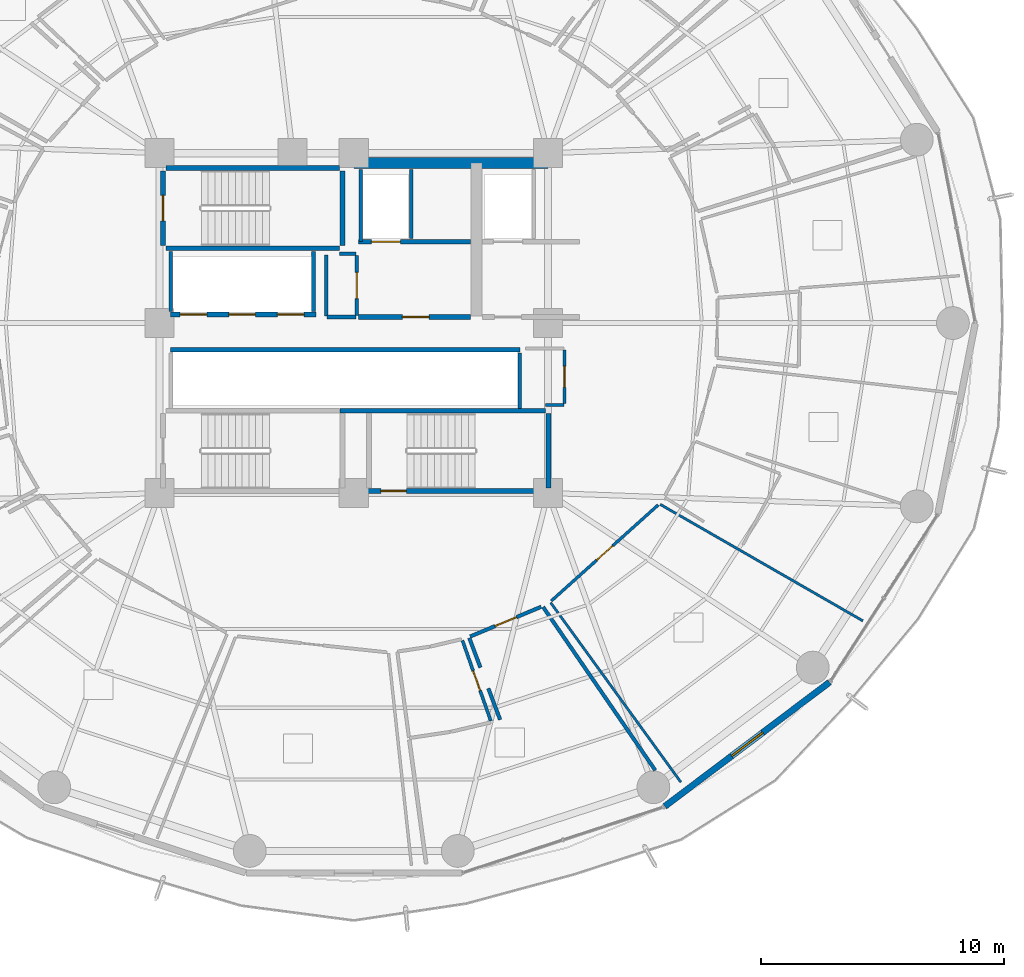
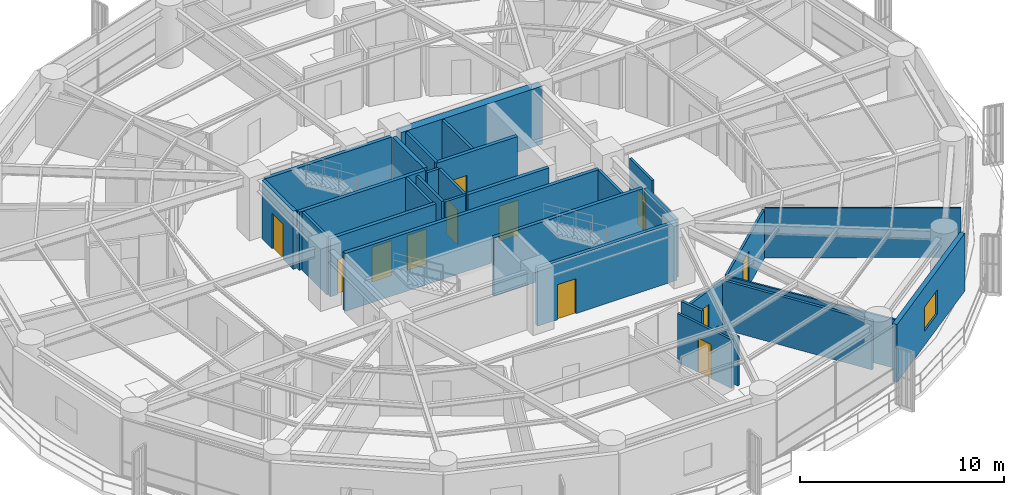
# One storey, part 30 of 37: 32 walls, 12 doors, 1 window, 13 openings.
"""IFC4 building model written with IfcOpenShell, lengths in metres."""

from ifc_helpers import new_model, si_unit, direction, frame, frame_2d, origin, place, context, subcontext, project, spatial, rectangle, extrude, material, layer, layer_set, type_object, element, fill, save


model = new_model("IFC4")

# Units and contexts
model_context = context("Model", 3, precision=1e-05, world=origin(), true_north=direction((0.0, 1.0)))
body_context = subcontext(model_context, "Body", "Model", "MODEL_VIEW")
ifc_project = project(units=[si_unit("LENGTHUNIT", "METRE"), si_unit("AREAUNIT", "SQUARE_METRE"), si_unit("VOLUMEUNIT", "CUBIC_METRE"), si_unit("PLANEANGLEUNIT", "RADIAN"), si_unit("MASSUNIT", "GRAM", prefix="KILO")], contexts=[model_context])

# Site, building, storey
site_placement = place(None, origin())
site = spatial("IfcSite", under=ifc_project, at=site_placement, CompositionType="ELEMENT")
building_placement = place(site_placement, origin())
building = spatial("IfcBuilding", under=site, at=building_placement, Name="Kelanora Arch Commons", CompositionType="ELEMENT")
storey_placement = place(building_placement, frame((0.0, 0.0, 113.85009765625)))
storey = spatial("IfcBuildingStorey", under=building, at=storey_placement, Name="L29", CompositionType="ELEMENT", Elevation=113.85009765625)

# Walls
ifc_material_1 = material(Name="Autoclaved aerated concrete blockwork with fire plaster", Category="masonry")
ifc_layer_1 = layer(ifc_material_1, 0.14990234375)
ifc_layer_set_1 = layer_set([ifc_layer_1], Name="Autoclaved aerated concrete blockwork with fire plaster")
wall_type_1 = type_object("IfcWallType", Name="W-COMP-150", PredefinedType="PARTITIONING", material=ifc_layer_set_1)
wall_1_placement = place(storey_placement, frame((74.280029296875, 61.35009765625, 0.0), z_axis=(0.0, 0.0, 1.0), x_axis=(0.0, 1.0, 0.0)))
element("IfcWall", 1, at=wall_1_placement, inside=storey, type_object=wall_type_1, Name="Firefighting Lift 1 West Shaft Wall L29", PredefinedType="PARTITIONING", context=body_context, shape_type="SweptSolid", body=[
    extrude(rectangle(XDim=2.969970703125, YDim=0.14990234375, at=frame_2d((1.48486328125, 0.0))), origin(), (0.0, 0.0, 1.0), 3.47998046875),
])
wall_2_placement = place(storey_placement, frame((76.360107421875, 61.47998046875, 0.0), z_axis=(0.0, 0.0, 1.0), x_axis=(0.0, 1.0, 0.0)))
element("IfcWall", 2, at=wall_2_placement, inside=storey, type_object=wall_type_1, Name="Firefighting Lift 1 East Shaft Wall L29", PredefinedType="PARTITIONING", context=body_context, shape_type="SweptSolid", body=[
    extrude(rectangle(XDim=2.840087890625, YDim=0.14990234375, at=frame_2d((1.419921875, 0.0))), origin(), (0.0, 0.0, 1.0), 3.47998046875),
])
for number, where, z_axis, x_axis, name in (
    (3, (66.4599609375, 58.47998046875, 0.0), (0.0, 0.0, 1.0), (0.0, 1.0, 0.0), "Low-Rise Lift Bank West Wall L29"),
    (4, (72.340087890625, 58.47998046875, 0.0), (0.0, 0.0, 1.0), (0.0, 1.0, 0.0), "Low-Rise Lift Bank East Wall L29"),
):
    element("IfcWall", number, at=place(storey_placement, frame(where, z_axis=z_axis, x_axis=x_axis)), inside=storey, type_object=wall_type_1, Name=name, PredefinedType="PARTITIONING", context=body_context, shape_type="SweptSolid", body=[
        extrude(rectangle(XDim=2.4599609375, YDim=0.14990234375, at=frame_2d((1.22998046875, 0.0))), origin(), (0.0, 0.0, 1.0), 3.47998046875),
    ])
wall_3_placement = place(storey_placement, frame((80.840087890625, 54.47998046875, 0.0), z_axis=(0.0, 0.0, 1.0), x_axis=(0.0, 1.0, 0.0)))
element("IfcWall", 5, at=wall_3_placement, inside=storey, type_object=wall_type_1, Name="South Lift Bank East Wall L29", PredefinedType="PARTITIONING", context=body_context, shape_type="SweptSolid", body=[
    extrude(rectangle(XDim=2.2900390625, YDim=0.14990234375, at=frame_2d((1.14501953125, 0.0))), origin(), (0.0, 0.0, 1.0), 3.47998046875),
])

# Wall, opening, door
wall_4_placement = place(storey_placement, frame((74.1201171875, 58.31005859375, 0.0), z_axis=(0.0, 0.0, 1.0), x_axis=(0.0, 1.0, 0.0)))
wall_4 = element("IfcWall", 6, at=wall_4_placement, inside=storey, type_object=wall_type_1, Name="Core Linen Supply Store L29 Entry Partition", PredefinedType="PARTITIONING", context=body_context, shape_type="SweptSolid", body=[
    extrude(rectangle(XDim=2.47998046875, YDim=0.14990234375, at=frame_2d((1.239990234375, 0.0))), origin(), (0.0, 0.0, 1.0), 3.47998046875),
])
opening_1_placement = place(wall_4_placement, frame((0.699951171875, 0.0, 0.0)))
opening_1 = element("IfcOpeningElement", 7, at=opening_1_placement, cuts=wall_4, Name="Opening D-PLT1", PredefinedType="OPENING", context=body_context, shape_type="SweptSolid", body=[
    extrude(rectangle(XDim=1.080078125, YDim=2.10009765625, at=frame_2d((0.5400390625, 1.050048828125))), frame((0.0, 0.0849609375, 0.0), z_axis=(0.0, -1.0, 0.0), x_axis=(1.0, 0.0, 0.0)), (0.0, 0.0, 1.0), 0.169921875),
])
ifc_material_2 = material(Name="Galvanised steel plant and riser fire door", Category="steel")
door_type_1 = type_object("IfcDoorType", Name="D-PLT-110", OperationType="NOTDEFINED", PredefinedType="DOOR", material=ifc_material_2)
door_1_placement = place(opening_1_placement, origin())
door_1 = element("IfcDoor", 8, at=door_1_placement, inside=storey, type_object=door_type_1, Name="Core Linen Supply Store L29 Door", OperationType="SINGLE_SWING_LEFT", OverallHeight=2.10009765625, OverallWidth=1.080078125, PredefinedType="DOOR", context=body_context, shape_type="SweptSolid", body=[
    extrude(rectangle(XDim=1.080078125, YDim=2.10009765625, at=frame_2d((0.5400390625, 1.050048828125))), frame((0.0, 0.02490234375, 0.0), z_axis=(0.0, -1.0, 0.0), x_axis=(1.0, 0.0, 0.0)), (0.0, 0.0, 1.0), 0.050048828125),
])
fill(opening_1, door_1)

wall_5_placement = place(storey_placement, frame((78.79736328125, 45.089111328125, 0.0), z_axis=(0.0, 0.0, 1.0), x_axis=(0.922451198241, 0.386113696809, 0.0)))
wall_5 = element("IfcWall", 9, at=wall_5_placement, inside=storey, type_object=wall_type_1, Name="Co-Living Studio L29-11 Entry Partition", PredefinedType="PARTITIONING", context=body_context, shape_type="SweptSolid", body=[
    extrude(rectangle(XDim=3.169189453125, YDim=0.14990234375, at=frame_2d((1.58447265625, 0.0))), origin(), (0.0, 0.0, 1.0), 2.9248046875),
])
opening_2_placement = place(wall_5_placement, frame((1.110107421875, 0.0, 0.0)))
opening_2 = element("IfcOpeningElement", 10, at=opening_2_placement, cuts=wall_5, Name="Opening D-CLU1", PredefinedType="OPENING", context=body_context, shape_type="SweptSolid", body=[
    extrude(rectangle(XDim=0.949951171875, YDim=2.080078125, at=frame_2d((0.47509765625, 1.0400390625))), frame((0.0, 0.0849609375, 0.0), z_axis=(0.0, -1.0, 0.0), x_axis=(1.0, 0.0, 0.0)), (0.0, 0.0, 1.0), 0.169921875),
])
ifc_material_3 = material(Name="Solid-core acoustic timber cluster entry fire door", Category="wood")
door_type_2 = type_object("IfcDoorType", Name="D-CLU-95", OperationType="NOTDEFINED", PredefinedType="DOOR", material=ifc_material_3)
door_2_placement = place(opening_2_placement, origin())
door_2 = element("IfcDoor", 11, at=door_2_placement, inside=storey, type_object=door_type_2, Name="Co-Living Studio L29-11 Door", OperationType="SINGLE_SWING_RIGHT", OverallHeight=2.080078125, OverallWidth=0.949951171875, PredefinedType="DOOR", context=body_context, shape_type="SweptSolid", body=[
    extrude(rectangle(XDim=0.949951171875, YDim=2.080078125, at=frame_2d((0.47509765625, 1.0400390625))), frame((0.0, 0.02490234375, 0.0), z_axis=(0.0, -1.0, 0.0), x_axis=(1.0, 0.0, 0.0)), (0.0, 0.0, 1.0), 0.050048828125),
])
fill(opening_2, door_2)

# Walls
wall_6_placement = place(storey_placement, frame((72.89990234375, 58.25, 0.0), z_axis=(0.0, 0.0, 1.0), x_axis=(1.0, 0.0, 0.0)))
element("IfcWall", 12, at=wall_6_placement, inside=storey, type_object=wall_type_1, Name="Core Linen Supply Store L29 Enclosure Partition 1", PredefinedType="PARTITIONING", context=body_context, shape_type="SweptSolid", body=[
    extrude(rectangle(XDim=1.18017578125, YDim=0.14990234375, at=frame_2d((0.590087890625, 0.0))), origin(), (0.0, 0.0, 1.0), 3.47998046875),
])
wall_7_placement = place(storey_placement, frame((74.080078125, 60.85009765625, 0.0), z_axis=(0.0, 0.0, 1.0), x_axis=(-1.0, 0.0, 0.0)))
element("IfcWall", 13, at=wall_7_placement, inside=storey, type_object=wall_type_1, Name="Core Linen Supply Store L29 Enclosure Partition 3", PredefinedType="PARTITIONING", context=body_context, shape_type="SweptSolid", body=[
    extrude(rectangle(XDim=0.66015625, YDim=0.14990234375, at=frame_2d((0.330078125, 0.0))), origin(), (0.0, 0.0, 1.0), 3.47998046875),
])
wall_8_placement = place(storey_placement, frame((72.860107421875, 60.81005859375, 0.0), z_axis=(0.0, 0.0, 1.0), x_axis=(0.0, -1.0, 0.0)))
element("IfcWall", 14, at=wall_8_placement, inside=storey, type_object=wall_type_1, Name="Core Linen Supply Store L29 Enclosure Partition 4", PredefinedType="PARTITIONING", context=body_context, shape_type="SweptSolid", body=[
    extrude(rectangle(XDim=2.52001953125, YDim=0.14990234375, at=frame_2d((1.260009765625, 0.0))), origin(), (0.0, 0.0, 1.0), 3.47998046875),
])
wall_9_placement = place(storey_placement, frame((81.798583984375, 46.302978515625, 0.0), z_axis=(0.0, 0.0, 1.0), x_axis=(0.566050189738, -0.824370779866, 0.0)))
element("IfcWall", 15, at=wall_9_placement, inside=storey, type_object=wall_type_1, Name="Co-Living Studio L29-11 Enclosure Partition 2", PredefinedType="PARTITIONING", context=body_context, shape_type="SweptSolid", body=[
    extrude(rectangle(XDim=8.162841796875, YDim=0.14990234375, at=frame_2d((4.08154296875, 0.0))), origin(), (0.0, 0.0, 1.0), 2.9248046875),
])
wall_10_placement = place(storey_placement, frame((80.02783203125, 41.660400390625, 0.0), z_axis=(0.0, 0.0, 1.0), x_axis=(-0.353218077886, 0.935541014309, 0.0)))
element("IfcWall", 16, at=wall_10_placement, inside=storey, type_object=wall_type_1, Name="Co-Living Studio L29-11 Enclosure Partition 7", PredefinedType="PARTITIONING", context=body_context, shape_type="SweptSolid", body=[
    extrude(rectangle(XDim=1.37890625, YDim=0.14990234375, at=frame_2d((0.689453125, 0.0))), origin(), (0.0, 0.0, 1.0), 2.9248046875),
])
wall_11_placement = place(storey_placement, frame((79.2158203125, 43.811279296875, 0.0), z_axis=(0.0, 0.0, 1.0), x_axis=(-0.353302050307, 0.935509305806, 0.0)))
element("IfcWall", 17, at=wall_11_placement, inside=storey, type_object=wall_type_1, Name="Co-Living Studio L29-11 Enclosure Partition 7", PredefinedType="PARTITIONING", context=body_context, shape_type="SweptSolid", body=[
    extrude(rectangle(XDim=1.30126953125, YDim=0.14990234375, at=frame_2d((0.650634765625, 0.0))), origin(), (0.0, 0.0, 1.0), 3.47998046875),
])
ifc_material_4 = material(Name="Concrete C60/75", Category="concrete")
ifc_layer_2 = layer(ifc_material_4, 0.449951171875)
ifc_layer_set_2 = layer_set([ifc_layer_2], Name="Concrete C60/75")
wall_type_2 = type_object("IfcWallType", Name="W-CORE-450", PredefinedType="SHEAR", material=ifc_layer_set_2)
wall_12_placement = place(storey_placement, frame((74.0, 64.60009765625, 0.0), z_axis=(0.0, 0.0, 1.0), x_axis=(1.0, 0.0, 0.0)))
element("IfcWall", 18, at=wall_12_placement, inside=storey, type_object=wall_type_2, Name="Core Shear Spine L29-CN-E", PredefinedType="SHEAR", context=body_context, shape_type="SweptSolid", body=[
    extrude(rectangle(XDim=8.0, YDim=0.449951171875, at=frame_2d((4.0, 0.0))), origin(), (0.0, 0.0, 1.0), 3.489990234375),
])

# Wall, opening, window
ifc_material_5 = material(Name="Precast concrete C40/50 with terracotta rainscreen", Category="masonry")
ifc_layer_3 = layer(ifc_material_5, 0.260009765625)
ifc_layer_set_3 = layer_set([ifc_layer_3], Name="Precast concrete C40/50 with terracotta rainscreen")
wall_type_3 = type_object("IfcWallType", Name="W-EXT-TC", PredefinedType="SOLIDWALL", material=ifc_layer_set_3)
wall_13_placement = place(storey_placement, frame((86.81201171875, 38.09033203125, 0.0), z_axis=(0.0, 0.0, 1.0), x_axis=(0.798501507879, 0.601992808857, 0.0)))
wall_13 = element("IfcWall", 19, at=wall_13_placement, inside=storey, type_object=wall_type_3, Name="Terracotta Exterior Wall L29-B15", PredefinedType="SOLIDWALL", context=body_context, shape_type="SweptSolid", body=[
    extrude(rectangle(XDim=8.499267578125, YDim=0.260009765625, at=frame_2d((4.24951171875, 0.0))), origin(), (0.0, 0.0, 1.0), 3.474853515625),
])
opening_3_placement = place(wall_13_placement, frame((3.449951171875, 0.0, 0.85009765625)))
opening_3 = element("IfcOpeningElement", 20, at=opening_3_placement, cuts=wall_13, Name="Opening WN-01", PredefinedType="OPENING", context=body_context, shape_type="SweptSolid", body=[
    extrude(rectangle(XDim=1.60009765625, YDim=1.449951171875, at=frame_2d((0.800048828125, 0.72509765625))), frame((0.0, 0.14013671875, 0.0), z_axis=(0.0, -1.0, 0.0), x_axis=(1.0, 0.0, 0.0)), (0.0, 0.0, 1.0), 0.280029296875),
])
ifc_material_6 = material(Name="Terracotta-anodised aluminium frame with operable low-E glazing", Category="masonry")
window_type = type_object("IfcWindowType", Name="WIN-CL-18", PartitioningType="DOUBLE_PANEL_VERTICAL", PredefinedType="WINDOW", material=ifc_material_6)
window_placement = place(opening_3_placement, origin())
window = element("IfcWindow", 21, at=window_placement, inside=storey, type_object=window_type, Name="Co-Living Operable Window L29-B15", OverallHeight=1.449951171875, OverallWidth=1.60009765625, PartitioningType="SINGLE_PANEL", PredefinedType="WINDOW", context=body_context, shape_type="SweptSolid", body=[
    extrude(rectangle(XDim=1.60009765625, YDim=1.449951171875, at=frame_2d((0.800048828125, 0.72509765625))), frame((0.0, 0.030029296875, 0.0), z_axis=(0.0, -1.0, 0.0), x_axis=(1.0, 0.0, 0.0)), (0.0, 0.0, 1.0), 0.06005859375),
])
fill(opening_3, window)

# Wall, opening, door
ifc_material_7 = material(Name="Concrete C40/50", Category="concrete")
ifc_layer_4 = layer(ifc_material_7, 0.199951171875)
ifc_layer_set_4 = layer_set([ifc_layer_4], Name="Concrete C40/50")
wall_type_4 = type_object("IfcWallType", Name="W-FFL-200", PredefinedType="SOLIDWALL", material=ifc_layer_set_4)
wall_14_placement = place(storey_placement, frame((74.199951171875, 61.35009765625, 0.0), z_axis=(0.0, 0.0, 1.0), x_axis=(1.0, 0.0, 0.0)))
wall_14 = element("IfcWall", 22, at=wall_14_placement, inside=storey, type_object=wall_type_4, Name="Firefighting Lift 1 Shaft Front L29", PredefinedType="SOLIDWALL", context=body_context, shape_type="SweptSolid", body=[
    extrude(rectangle(XDim=4.60009765625, YDim=0.199951171875, at=frame_2d((2.300048828125, 0.0))), origin(), (0.0, 0.0, 1.0), 3.47998046875),
])
opening_4_placement = place(wall_14_placement, frame((0.52001953125, 0.0, 0.0)))
opening_4 = element("IfcOpeningElement", 23, at=opening_4_placement, cuts=wall_14, Name="Opening LD-FF", PredefinedType="OPENING", context=body_context, shape_type="SweptSolid", body=[
    extrude(rectangle(XDim=1.199951171875, YDim=2.14990234375, at=frame_2d((0.60009765625, 1.074951171875))), frame((0.0, 0.10986328125, 0.0), z_axis=(0.0, -1.0, 0.0), x_axis=(1.0, 0.0, 0.0)), (0.0, 0.0, 1.0), 0.219970703125),
])
ifc_material_8 = material(Name="Fire-rated firefighters lift sliding landing door")
door_type_3 = type_object("IfcDoorType", Name="D-LIFT-FF", OperationType="NOTDEFINED", PredefinedType="DOOR", material=ifc_material_8)
door_3_placement = place(opening_4_placement, origin())
door_3 = element("IfcDoor", 24, at=door_3_placement, inside=storey, type_object=door_type_3, Name="Firefighting Lift LF-FF1 Landing Door L29", OperationType="DOUBLE_DOOR_SLIDING", OverallHeight=2.14990234375, OverallWidth=1.199951171875, PredefinedType="DOOR", context=body_context, shape_type="SweptSolid", body=[
    extrude(rectangle(XDim=1.199951171875, YDim=2.14990234375, at=frame_2d((0.60009765625, 1.074951171875))), frame((0.0, 0.02490234375, 0.0), z_axis=(0.0, -1.0, 0.0), x_axis=(1.0, 0.0, 0.0)), (0.0, 0.0, 1.0), 0.050048828125),
])
fill(opening_4, door_3)

wall_15_placement = place(storey_placement, frame((74.199951171875, 58.25, 0.0), z_axis=(0.0, 0.0, 1.0), x_axis=(1.0, 0.0, 0.0)))
wall_15 = element("IfcWall", 25, at=wall_15_placement, inside=storey, type_object=wall_type_4, Name="Firefighting Lobby 1 Enclosure Wall L29", PredefinedType="SOLIDWALL", context=body_context, shape_type="SweptSolid", body=[
    extrude(rectangle(XDim=4.60009765625, YDim=0.199951171875, at=frame_2d((2.300048828125, 0.0))), origin(), (0.0, 0.0, 1.0), 3.47998046875),
])
opening_5_placement = place(wall_15_placement, frame((1.800048828125, 0.0, 0.0)))
opening_5 = element("IfcOpeningElement", 26, at=opening_5_placement, cuts=wall_15, Name="Opening D-FFL1", PredefinedType="OPENING", context=body_context, shape_type="SweptSolid", body=[
    extrude(rectangle(XDim=1.10009765625, YDim=2.10009765625, at=frame_2d((0.550048828125, 1.050048828125))), frame((0.0, 0.10986328125, 0.0), z_axis=(0.0, -1.0, 0.0), x_axis=(1.0, 0.0, 0.0)), (0.0, 0.0, 1.0), 0.219970703125),
])
ifc_material_9 = material(Name="Smoke-sealed firefighting lobby fire door")
door_type_4 = type_object("IfcDoorType", Name="D-FFL-110", OperationType="NOTDEFINED", PredefinedType="DOOR", material=ifc_material_9)
door_4_placement = place(opening_5_placement, frame((1.10009765625, 0.0, 0.0), z_axis=(0.0, 0.0, 1.0), x_axis=(-1.0, 0.0, 0.0)))
door_4 = element("IfcDoor", 27, at=door_4_placement, inside=storey, type_object=door_type_4, Name="Firefighting Lobby 1 Door L29", OperationType="SINGLE_SWING_LEFT", OverallHeight=2.10009765625, OverallWidth=1.10009765625, PredefinedType="DOOR", context=body_context, shape_type="SweptSolid", body=[
    extrude(rectangle(XDim=1.10009765625, YDim=2.10009765625, at=frame_2d((0.550048828125, 1.050048828125))), frame((0.0, 0.02490234375, 0.0), z_axis=(0.0, -1.0, 0.0), x_axis=(1.0, 0.0, 0.0)), (0.0, 0.0, 1.0), 0.050048828125),
])
fill(opening_5, door_4)

# Wall, openings, doors
wall_16_placement = place(storey_placement, frame((66.449951171875, 58.35009765625, 0.0), z_axis=(0.0, 0.0, 1.0), x_axis=(1.0, 0.0, 0.0)))
wall_16 = element("IfcWall", 28, at=wall_16_placement, inside=storey, type_object=wall_type_4, Name="Low-Rise Passenger Lift Shaft Front L29", PredefinedType="SOLIDWALL", context=body_context, shape_type="SweptSolid", body=[
    extrude(rectangle(XDim=6.0, YDim=0.199951171875, at=frame_2d((3.0, 0.0))), origin(), (0.0, 0.0, 1.0), 3.47998046875),
])
opening_6_placement = place(wall_16_placement, frame((0.39990234375, 0.0, 0.0)))
opening_6 = element("IfcOpeningElement", 29, at=opening_6_placement, cuts=wall_16, Name="Opening LD-01", PredefinedType="OPENING", context=body_context, shape_type="SweptSolid", body=[
    extrude(rectangle(XDim=1.10009765625, YDim=2.10009765625, at=frame_2d((0.550048828125, 1.050048828125))), frame((0.0, 0.10986328125, 0.0), z_axis=(0.0, -1.0, 0.0), x_axis=(1.0, 0.0, 0.0)), (0.0, 0.0, 1.0), 0.219970703125),
])
opening_7_placement = place(wall_16_placement, frame((2.39990234375, 0.0, 0.0)))
opening_7 = element("IfcOpeningElement", 30, at=opening_7_placement, cuts=wall_16, Name="Opening LD-01", PredefinedType="OPENING", context=body_context, shape_type="SweptSolid", body=[
    extrude(rectangle(XDim=1.10009765625, YDim=2.10009765625, at=frame_2d((0.550048828125, 1.050048828125))), frame((0.0, 0.10986328125, 0.0), z_axis=(0.0, -1.0, 0.0), x_axis=(1.0, 0.0, 0.0)), (0.0, 0.0, 1.0), 0.219970703125),
])
opening_8_placement = place(wall_16_placement, frame((4.39990234375, 0.0, 0.0)))
opening_8 = element("IfcOpeningElement", 31, at=opening_8_placement, cuts=wall_16, Name="Opening LD-01", PredefinedType="OPENING", context=body_context, shape_type="SweptSolid", body=[
    extrude(rectangle(XDim=1.10009765625, YDim=2.10009765625, at=frame_2d((0.550048828125, 1.050048828125))), frame((0.0, 0.10986328125, 0.0), z_axis=(0.0, -1.0, 0.0), x_axis=(1.0, 0.0, 0.0)), (0.0, 0.0, 1.0), 0.219970703125),
])
ifc_material_10 = material(Name="Stainless steel passenger lift sliding landing door", Category="steel")
door_type_5 = type_object("IfcDoorType", Name="D-LIFT-110", OperationType="NOTDEFINED", PredefinedType="DOOR", material=ifc_material_10)
door_5_placement = place(opening_6_placement, origin())
door_5 = element("IfcDoor", 32, at=door_5_placement, inside=storey, type_object=door_type_5, Name="Passenger Lift LF-P1 Landing Door L29", OperationType="DOUBLE_DOOR_SLIDING", OverallHeight=2.10009765625, OverallWidth=1.10009765625, PredefinedType="DOOR", context=body_context, shape_type="SweptSolid", body=[
    extrude(rectangle(XDim=1.10009765625, YDim=2.10009765625, at=frame_2d((0.550048828125, 1.050048828125))), frame((0.0, 0.02490234375, 0.0), z_axis=(0.0, -1.0, 0.0), x_axis=(1.0, 0.0, 0.0)), (0.0, 0.0, 1.0), 0.050048828125),
])
fill(opening_6, door_5)
door_6_placement = place(opening_7_placement, origin())
door_6 = element("IfcDoor", 33, at=door_6_placement, inside=storey, type_object=door_type_5, Name="Passenger Lift LF-P2 Landing Door L29", OperationType="DOUBLE_DOOR_SLIDING", OverallHeight=2.10009765625, OverallWidth=1.10009765625, PredefinedType="DOOR", context=body_context, shape_type="SweptSolid", body=[
    extrude(rectangle(XDim=1.10009765625, YDim=2.10009765625, at=frame_2d((0.550048828125, 1.050048828125))), frame((0.0, 0.02490234375, 0.0), z_axis=(0.0, -1.0, 0.0), x_axis=(1.0, 0.0, 0.0)), (0.0, 0.0, 1.0), 0.050048828125),
])
fill(opening_7, door_6)
door_7_placement = place(opening_8_placement, origin())
door_7 = element("IfcDoor", 34, at=door_7_placement, inside=storey, type_object=door_type_5, Name="Passenger Lift LF-P3 Landing Door L29", OperationType="DOUBLE_DOOR_SLIDING", OverallHeight=2.10009765625, OverallWidth=1.10009765625, PredefinedType="DOOR", context=body_context, shape_type="SweptSolid", body=[
    extrude(rectangle(XDim=1.10009765625, YDim=2.10009765625, at=frame_2d((0.550048828125, 1.050048828125))), frame((0.0, 0.02490234375, 0.0), z_axis=(0.0, -1.0, 0.0), x_axis=(1.0, 0.0, 0.0)), (0.0, 0.0, 1.0), 0.050048828125),
])
fill(opening_8, door_7)

# Walls
wall_17_placement = place(storey_placement, frame((66.449951171875, 56.89990234375, 0.0), z_axis=(0.0, 0.0, 1.0), x_axis=(1.0, 0.0, 0.0)))
element("IfcWall", 35, at=wall_17_placement, inside=storey, type_object=wall_type_4, Name="Mid/High/Express Lift Shaft Front L29", PredefinedType="SOLIDWALL", context=body_context, shape_type="SweptSolid", body=[
    extrude(rectangle(XDim=14.400146484375, YDim=0.199951171875, at=frame_2d((7.2001953125, 0.0))), origin(), (0.0, 0.0, 1.0), 3.47998046875),
])
ifc_material_11 = material(Name="Lightweight fire-rated acoustic stud partition")
ifc_layer_5 = layer(ifc_material_11, 0.10009765625)
ifc_layer_set_5 = layer_set([ifc_layer_5], Name="Lightweight fire-rated acoustic stud partition")
wall_type_5 = type_object("IfcWallType", Name="W-PART-100", PredefinedType="PARTITIONING", material=ifc_layer_set_5)
wall_18_placement = place(storey_placement, frame((86.62158203125, 50.531005859375, 0.0), z_axis=(0.0, 0.0, 1.0), x_axis=(0.867006010233, -0.498297680328, 0.0)))
element("IfcWall", 36, at=wall_18_placement, inside=storey, type_object=wall_type_5, Name="Quiet Seminar Study Room L29-12 Enclosure Partition 2", PredefinedType="PARTITIONING", context=body_context, shape_type="SweptSolid", body=[
    extrude(rectangle(XDim=9.626953125, YDim=0.10009765625, at=frame_2d((4.8134765625, 0.0))), origin(), (0.0, 0.0, 1.0), 2.974853515625),
])
wall_19_placement = place(storey_placement, frame((87.473388671875, 39.08544921875, 0.0), z_axis=(0.0, 0.0, 1.0), x_axis=(-0.587049040353, 0.809551372194, 0.0)))
element("IfcWall", 37, at=wall_19_placement, inside=storey, type_object=wall_type_5, Name="Quiet Seminar Study Room L29-12 Enclosure Partition 4", PredefinedType="PARTITIONING", context=body_context, shape_type="SweptSolid", body=[
    extrude(rectangle(XDim=9.133544921875, YDim=0.10009765625, at=frame_2d((4.56689453125, 0.0))), origin(), (0.0, 0.0, 1.0), 2.9248046875),
])

# Wall, opening, door
ifc_material_12 = material(Name="Acoustic twin-stud fire-rated gypsum partition")
ifc_layer_6 = layer(ifc_material_12, 0.1201171875)
ifc_layer_set_6 = layer_set([ifc_layer_6], Name="Acoustic twin-stud fire-rated gypsum partition")
wall_type_6 = type_object("IfcWallType", Name="W-PART-120", PredefinedType="PARTITIONING", material=ifc_layer_set_6)
wall_20_placement = place(storey_placement, frame((82.132568359375, 46.552001953125, 0.0), z_axis=(0.0, 0.0, 1.0), x_axis=(0.744127280309, 0.668037866217, 0.0)))
wall_20 = element("IfcWall", 38, at=wall_20_placement, inside=storey, type_object=wall_type_6, Name="Quiet Seminar Study Room L29-12 Entry Partition", PredefinedType="PARTITIONING", context=body_context, shape_type="SweptSolid", body=[
    extrude(rectangle(XDim=5.92626953125, YDim=0.1201171875, at=frame_2d((2.963134765625, 0.0))), origin(), (0.0, 0.0, 1.0), 2.9248046875),
])
opening_9_placement = place(wall_20_placement, frame((2.512939453125, 0.0, 0.0)))
opening_9 = element("IfcOpeningElement", 39, at=opening_9_placement, cuts=wall_20, Name="Opening D-RM1", PredefinedType="OPENING", context=body_context, shape_type="SweptSolid", body=[
    extrude(rectangle(XDim=0.89990234375, YDim=2.080078125, at=frame_2d((0.449951171875, 1.0400390625))), frame((0.0, 0.070068359375, 0.0), z_axis=(0.0, -1.0, 0.0), x_axis=(1.0, 0.0, 0.0)), (0.0, 0.0, 1.0), 0.14013671875),
])
ifc_material_13 = material(Name="Acoustic fire-rated timber study and lounge door", Category="wood")
door_type_6 = type_object("IfcDoorType", Name="D-ROOM-90", OperationType="NOTDEFINED", PredefinedType="DOOR", material=ifc_material_13)
door_8_placement = place(opening_9_placement, origin())
door_8 = element("IfcDoor", 40, at=door_8_placement, inside=storey, type_object=door_type_6, Name="Quiet Seminar Study Room L29-12 Door", OperationType="SINGLE_SWING_LEFT", OverallHeight=2.080078125, OverallWidth=0.89990234375, PredefinedType="DOOR", context=body_context, shape_type="SweptSolid", body=[
    extrude(rectangle(XDim=0.89990234375, YDim=2.080078125, at=frame_2d((0.449951171875, 1.0400390625))), frame((0.0, 0.02490234375, 0.0), z_axis=(0.0, -1.0, 0.0), x_axis=(1.0, 0.0, 0.0)), (0.0, 0.0, 1.0), 0.050048828125),
])
fill(opening_9, door_8)

# Walls
ifc_layer_7 = layer(ifc_material_7, 0.199951171875)
ifc_layer_set_7 = layer_set([ifc_layer_7], Name="Concrete C40/50")
wall_type_7 = type_object("IfcWallType", Name="W-STAIR-200", PredefinedType="SHEAR", material=ifc_layer_set_7)
wall_21_placement = place(storey_placement, frame((66.260009765625, 61.080078125, 0.0), z_axis=(0.0, 0.0, 1.0), x_axis=(1.0, 0.0, 0.0)))
element("IfcWall", 41, at=wall_21_placement, inside=storey, type_object=wall_type_7, Name="Stair ST-T1 Shaft Wall S L29", PredefinedType="SHEAR", context=body_context, shape_type="SweptSolid", body=[
    extrude(rectangle(XDim=7.159912109375, YDim=0.199951171875, at=frame_2d((3.580078125, 0.0))), origin(), (0.0, 0.0, 1.0), 3.489990234375),
])
wall_22_placement = place(storey_placement, frame((73.5400390625, 61.199951171875, 0.0), z_axis=(0.0, 0.0, 1.0), x_axis=(0.0, 1.0, 0.0)))
element("IfcWall", 42, at=wall_22_placement, inside=storey, type_object=wall_type_7, Name="Stair ST-T1 Shaft Wall E L29", PredefinedType="SHEAR", context=body_context, shape_type="SweptSolid", body=[
    extrude(rectangle(XDim=3.070068359375, YDim=0.199951171875, at=frame_2d((1.53515625, 0.0))), origin(), (0.0, 0.0, 1.0), 3.489990234375),
])
wall_23_placement = place(storey_placement, frame((73.419921875, 64.389892578125, 0.0), z_axis=(0.0, 0.0, 1.0), x_axis=(-1.0, 0.0, 0.0)))
element("IfcWall", 43, at=wall_23_placement, inside=storey, type_object=wall_type_7, Name="Stair ST-T1 Shaft Wall N L29", PredefinedType="SHEAR", context=body_context, shape_type="SweptSolid", body=[
    extrude(rectangle(XDim=7.159912109375, YDim=0.199951171875, at=frame_2d((3.580078125, 0.0))), origin(), (0.0, 0.0, 1.0), 3.489990234375),
])

# Wall, opening, door
wall_24_placement = place(storey_placement, frame((66.139892578125, 64.27001953125, 0.0), z_axis=(0.0, 0.0, 1.0), x_axis=(0.0, -1.0, 0.0)))
wall_24 = element("IfcWall", 44, at=wall_24_placement, inside=storey, type_object=wall_type_7, Name="Stair ST-T1 Shaft Wall W L29", PredefinedType="SHEAR", context=body_context, shape_type="SweptSolid", body=[
    extrude(rectangle(XDim=3.070068359375, YDim=0.199951171875, at=frame_2d((1.53515625, 0.0))), origin(), (0.0, 0.0, 1.0), 3.489990234375),
])
opening_10_placement = place(wall_24_placement, frame((1.010009765625, 0.0, 0.0)))
opening_10 = element("IfcOpeningElement", 45, at=opening_10_placement, cuts=wall_24, Name="Opening D-ST1", PredefinedType="OPENING", context=body_context, shape_type="SweptSolid", body=[
    extrude(rectangle(XDim=1.050048828125, YDim=2.10009765625, at=frame_2d((0.52490234375, 1.050048828125))), frame((0.0, 0.10986328125, 0.0), z_axis=(0.0, -1.0, 0.0), x_axis=(1.0, 0.0, 0.0)), (0.0, 0.0, 1.0), 0.219970703125),
])
ifc_material_14 = material(Name="Steel fire-rated stairwell escape door", Category="steel")
door_type_7 = type_object("IfcDoorType", Name="D-STAIR-110", OperationType="NOTDEFINED", PredefinedType="DOOR", material=ifc_material_14)
door_9_placement = place(opening_10_placement, origin())
door_9 = element("IfcDoor", 46, at=door_9_placement, inside=storey, type_object=door_type_7, Name="Stair ST-T1 Escape Door L29", OperationType="SINGLE_SWING_LEFT", OverallHeight=2.10009765625, OverallWidth=1.050048828125, PredefinedType="DOOR", context=body_context, shape_type="SweptSolid", body=[
    extrude(rectangle(XDim=1.050048828125, YDim=2.10009765625, at=frame_2d((0.52490234375, 1.050048828125))), frame((0.0, 0.02490234375, 0.0), z_axis=(0.0, -1.0, 0.0), x_axis=(1.0, 0.0, 0.0)), (0.0, 0.0, 1.0), 0.050048828125),
])
fill(opening_10, door_9)

wall_25_placement = place(storey_placement, frame((74.0, 51.080078125, 0.0), z_axis=(0.0, 0.0, 1.0), x_axis=(1.0, 0.0, 0.0)))
wall_25 = element("IfcWall", 47, at=wall_25_placement, inside=storey, type_object=wall_type_7, Name="Stair ST-T2 Shaft Wall S L29", PredefinedType="SHEAR", context=body_context, shape_type="SweptSolid", body=[
    extrude(rectangle(XDim=7.89990234375, YDim=0.199951171875, at=frame_2d((3.949951171875, 0.0))), origin(), (0.0, 0.0, 1.0), 3.489990234375),
])
opening_11_placement = place(wall_25_placement, frame((1.1201171875, 0.0, 0.0)))
opening_11 = element("IfcOpeningElement", 48, at=opening_11_placement, cuts=wall_25, Name="Opening D-ST1", PredefinedType="OPENING", context=body_context, shape_type="SweptSolid", body=[
    extrude(rectangle(XDim=1.050048828125, YDim=2.10009765625, at=frame_2d((0.52490234375, 1.050048828125))), frame((0.0, 0.10986328125, 0.0), z_axis=(0.0, -1.0, 0.0), x_axis=(1.0, 0.0, 0.0)), (0.0, 0.0, 1.0), 0.219970703125),
])
door_10_placement = place(opening_11_placement, origin())
door_10 = element("IfcDoor", 49, at=door_10_placement, inside=storey, type_object=door_type_7, Name="Stair ST-T2 Escape Door L29", OperationType="SINGLE_SWING_LEFT", OverallHeight=2.10009765625, OverallWidth=1.050048828125, PredefinedType="DOOR", context=body_context, shape_type="SweptSolid", body=[
    extrude(rectangle(XDim=1.050048828125, YDim=2.10009765625, at=frame_2d((0.52490234375, 1.050048828125))), frame((0.0, 0.02490234375, 0.0), z_axis=(0.0, -1.0, 0.0), x_axis=(1.0, 0.0, 0.0)), (0.0, 0.0, 1.0), 0.050048828125),
])
fill(opening_11, door_10)

# Walls
wall_26_placement = place(storey_placement, frame((82.02001953125, 51.199951171875, 0.0), z_axis=(0.0, 0.0, 1.0), x_axis=(0.0, 1.0, 0.0)))
element("IfcWall", 50, at=wall_26_placement, inside=storey, type_object=wall_type_7, Name="Stair ST-T2 Shaft Wall E L29", PredefinedType="SHEAR", context=body_context, shape_type="SweptSolid", body=[
    extrude(rectangle(XDim=3.070068359375, YDim=0.199951171875, at=frame_2d((1.53515625, 0.0))), origin(), (0.0, 0.0, 1.0), 3.489990234375),
])
wall_27_placement = place(storey_placement, frame((81.89990234375, 54.389892578125, 0.0), z_axis=(0.0, 0.0, 1.0), x_axis=(-1.0, 0.0, 0.0)))
element("IfcWall", 51, at=wall_27_placement, inside=storey, type_object=wall_type_7, Name="Stair ST-T2 Shaft Wall N L29", PredefinedType="SHEAR", context=body_context, shape_type="SweptSolid", body=[
    extrude(rectangle(XDim=8.4599609375, YDim=0.199951171875, at=frame_2d((4.22998046875, 0.0))), origin(), (0.0, 0.0, 1.0), 3.489990234375),
])

# Wall, opening, door
ifc_material_15 = material(Name="Moisture-resistant fire-rated cement-board plumbing wall")
ifc_layer_8 = layer(ifc_material_15, 0.1298828125)
ifc_layer_set_8 = layer_set([ifc_layer_8], Name="Moisture-resistant fire-rated cement-board plumbing wall")
wall_type_8 = type_object("IfcWallType", Name="W-WET-120", PredefinedType="PLUMBINGWALL", material=ifc_layer_set_8)
wall_28_placement = place(storey_placement, frame((82.679931640625, 54.679931640625, 0.0), z_axis=(0.0, 0.0, 1.0), x_axis=(0.0, 1.0, 0.0)))
wall_28 = element("IfcWall", 52, at=wall_28_placement, inside=storey, type_object=wall_type_8, Name="Core Accessible Unisex WC L29 Entry Partition", PredefinedType="PLUMBINGWALL", context=body_context, shape_type="SweptSolid", body=[
    extrude(rectangle(XDim=2.2099609375, YDim=0.1298828125, at=frame_2d((1.10498046875, 0.0))), origin(), (0.0, 0.0, 1.0), 3.47998046875),
])
opening_12_placement = place(wall_28_placement, frame((0.675048828125, 0.0, 0.0)))
opening_12 = element("IfcOpeningElement", 53, at=opening_12_placement, cuts=wall_28, Name="Opening D-BT1", PredefinedType="OPENING", context=body_context, shape_type="SweptSolid", body=[
    extrude(rectangle(XDim=0.860107421875, YDim=2.050048828125, at=frame_2d((0.43017578125, 1.02490234375))), frame((0.0, 0.074951171875, 0.0), z_axis=(0.0, -1.0, 0.0), x_axis=(1.0, 0.0, 0.0)), (0.0, 0.0, 1.0), 0.14990234375),
])
ifc_material_16 = material(Name="Moisture-sealed fire-rated accessible bathroom door")
door_type_8 = type_object("IfcDoorType", Name="D-BATH-85", OperationType="NOTDEFINED", PredefinedType="DOOR", material=ifc_material_16)
door_11_placement = place(opening_12_placement, origin())
door_11 = element("IfcDoor", 54, at=door_11_placement, inside=storey, type_object=door_type_8, Name="Core Accessible Unisex WC L29 Door", OperationType="SINGLE_SWING_RIGHT", OverallHeight=2.050048828125, OverallWidth=0.860107421875, PredefinedType="DOOR", context=body_context, shape_type="SweptSolid", body=[
    extrude(rectangle(XDim=0.860107421875, YDim=2.050048828125, at=frame_2d((0.43017578125, 1.02490234375))), frame((0.0, 0.02490234375, 0.0), z_axis=(0.0, -1.0, 0.0), x_axis=(1.0, 0.0, 0.0)), (0.0, 0.0, 1.0), 0.050048828125),
])
fill(opening_12, door_11)

wall_29_placement = place(storey_placement, frame((78.47509765625, 44.92529296875, 0.0), z_axis=(0.0, 0.0, 1.0), x_axis=(0.332667472429, -0.943044194504, 0.0)))
wall_29 = element("IfcWall", 55, at=wall_29_placement, inside=storey, type_object=wall_type_8, Name="En-Suite Shower WC L29-11 Entry Partition", PredefinedType="PLUMBINGWALL", context=body_context, shape_type="SweptSolid", body=[
    extrude(rectangle(XDim=3.513916015625, YDim=0.1298828125, at=frame_2d((1.7568359375, 0.0))), origin(), (0.0, 0.0, 1.0), 2.9248046875),
])
opening_13_placement = place(wall_29_placement, frame((1.326904296875, 0.0, 0.0)))
opening_13 = element("IfcOpeningElement", 56, at=opening_13_placement, cuts=wall_29, Name="Opening D-BT1", PredefinedType="OPENING", context=body_context, shape_type="SweptSolid", body=[
    extrude(rectangle(XDim=0.860107421875, YDim=2.050048828125, at=frame_2d((0.43017578125, 1.02490234375))), frame((0.0, 0.074951171875, 0.0), z_axis=(0.0, -1.0, 0.0), x_axis=(1.0, 0.0, 0.0)), (0.0, 0.0, 1.0), 0.14990234375),
])
door_12_placement = place(opening_13_placement, origin())
door_12 = element("IfcDoor", 57, at=door_12_placement, inside=storey, type_object=door_type_8, Name="En-Suite Shower WC L29-11 Door", OperationType="SINGLE_SWING_LEFT", OverallHeight=2.050048828125, OverallWidth=0.860107421875, PredefinedType="DOOR", context=body_context, shape_type="SweptSolid", body=[
    extrude(rectangle(XDim=0.860107421875, YDim=2.050048828125, at=frame_2d((0.43017578125, 1.02490234375))), frame((0.0, 0.02490234375, 0.0), z_axis=(0.0, -1.0, 0.0), x_axis=(1.0, 0.0, 0.0)), (0.0, 0.0, 1.0), 0.050048828125),
])
fill(opening_13, door_12)

# Wall
wall_30_placement = place(storey_placement, frame((81.89990234375, 54.6201171875, 0.0), z_axis=(0.0, 0.0, 1.0), x_axis=(1.0, 0.0, 0.0)))
element("IfcWall", 58, at=wall_30_placement, inside=storey, type_object=wall_type_8, Name="Core Accessible Unisex WC L29 Enclosure Partition 1", PredefinedType="PLUMBINGWALL", context=body_context, shape_type="SweptSolid", body=[
    extrude(rectangle(XDim=0.760009765625, YDim=0.1298828125, at=frame_2d((0.3798828125, 0.0))), origin(), (0.0, 0.0, 1.0), 2.77490234375),
])

save(model, "model.ifc")
